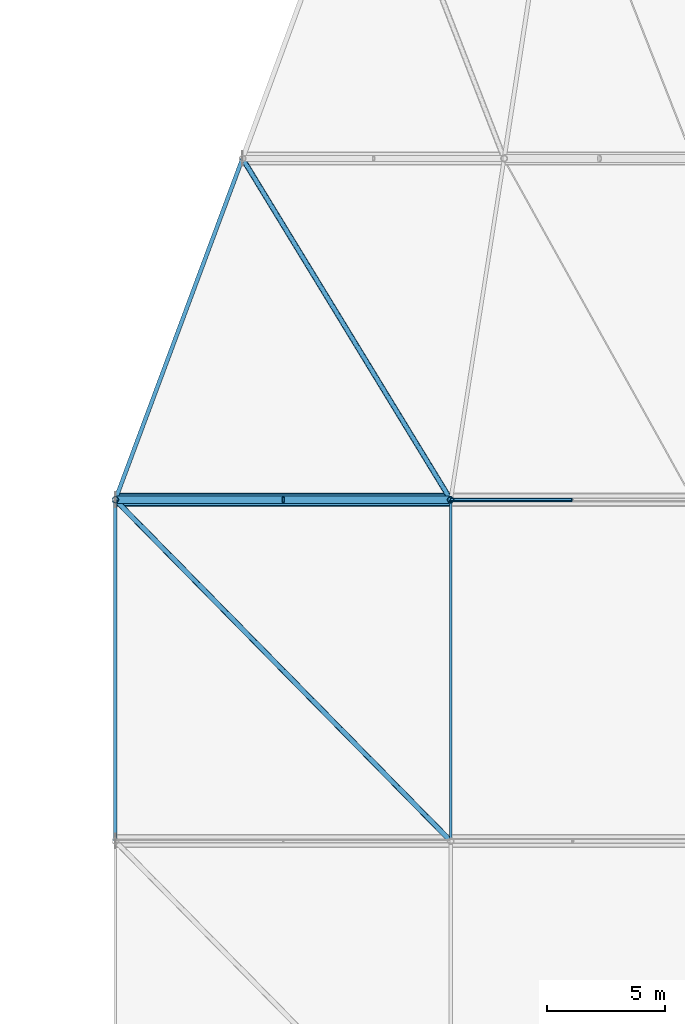
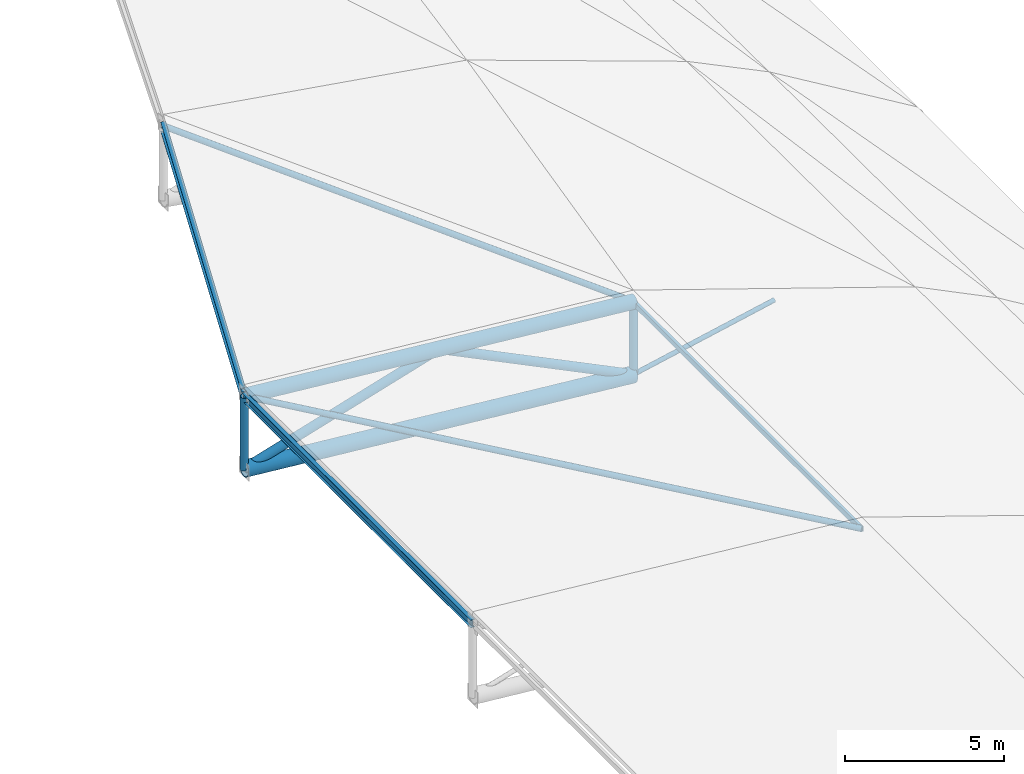
# One storey, part 20 of 36: 12 members.
"""IFC4 building model written with IfcOpenShell, lengths in metres."""

from ifc_helpers import new_model, si_unit, direction, frame, origin, origin_2d, place, context, subcontext, project, spatial, hollow_rectangle, hollow_circle, i_section, extrude, material, material_profile, profile_set, type_object, element, save


model = new_model("IFC4")

# Units and contexts
model_context = context("Model", 3, precision=1e-05, world=origin(), true_north=direction((0.0, 1.0)))
body_context = subcontext(model_context, "Body", "Model", "MODEL_VIEW")
ifc_project = project(units=[si_unit("LENGTHUNIT", "METRE"), si_unit("AREAUNIT", "SQUARE_METRE"), si_unit("VOLUMEUNIT", "CUBIC_METRE"), si_unit("PLANEANGLEUNIT", "RADIAN"), si_unit("MASSUNIT", "GRAM", prefix="KILO")], contexts=[model_context])

# Site, building, storey
site_placement = place(None, origin())
site = spatial("IfcSite", under=ifc_project, at=site_placement, CompositionType="ELEMENT")
building_placement = place(site_placement, origin())
building = spatial("IfcBuilding", under=site, at=building_placement, Name="Koshinbarg Plaza Stadium", CompositionType="ELEMENT")
storey_placement = place(building_placement, frame((0.0, 0.0, 34.199951171875)))
storey = spatial("IfcBuildingStorey", under=building, at=storey_placement, Name="RF", CompositionType="ELEMENT", Elevation=34.199951171875)

# Members
ifc_material = material(Name="Steel S355", Category="steel")
ifc_material_profile_1 = material_profile(ifc_material, hollow_circle(Radius=0.279541015625, WallThickness=0.022216796875, at=origin_2d()), Name="CHS 559x22.2")
ifc_profile_set_1 = profile_set([ifc_material_profile_1], Name="Steel S355")
member_type_1 = type_object("IfcMemberType", Name="MB-ARCH-BOT", PredefinedType="CHORD", material=ifc_profile_set_1)
member_1_placement = place(storey_placement, frame((179.152099609375, 97.5, 3.4208984375), z_axis=(-0.995642851387, 0.0, 0.093248659413), x_axis=(0.0, -1.0, 0.0)))
element("IfcMember", 1, at=member_1_placement, inside=storey, type_object=member_type_1, Name="Quarter-barrel roof truss bottom chord ERB-06-4", PredefinedType="CHORD", context=body_context, shape_type="SweptSolid", body=[
    extrude(hollow_circle(Radius=0.279541015625, WallThickness=0.022216796875, at=origin_2d()), origin(), (0.0, 0.0, 1.0), 14.214111328125),
])
ifc_material_profile_2 = material_profile(ifc_material, hollow_circle(Radius=0.25390625, WallThickness=0.02001953125, at=origin_2d()), Name="CHS 508x20")
ifc_profile_set_2 = profile_set([ifc_material_profile_2], Name="Steel S355")
member_type_2 = type_object("IfcMemberType", Name="MB-ARCH-TOP", PredefinedType="CHORD", material=ifc_profile_set_2)
member_2_placement = place(storey_placement, frame((179.152099609375, 97.5, 6.220947265625), z_axis=(-0.995642851387, 0.0, 0.093248659413), x_axis=(0.0, -1.0, 0.0)))
element("IfcMember", 2, at=member_2_placement, inside=storey, type_object=member_type_2, Name="Quarter-barrel roof truss top chord ERB-06-4", PredefinedType="CHORD", context=body_context, shape_type="SweptSolid", body=[
    extrude(hollow_circle(Radius=0.25390625, WallThickness=0.02001953125, at=origin_2d()), origin(), (0.0, 0.0, 1.0), 14.214111328125),
])
ifc_material_profile_3 = material_profile(ifc_material, hollow_circle(Radius=0.161865234375, WallThickness=0.01416015625, at=origin_2d()), Name="CHS 323.9x14.2")
ifc_profile_set_3 = profile_set([ifc_material_profile_3], Name="Steel S355")
member_type_3 = type_object("IfcMemberType", Name="MB-BRACE-01", PredefinedType="BRACE", material=ifc_profile_set_3)
member_3_placement = place(storey_placement, frame((179.152099609375, 97.5, 3.4208984375), z_axis=(-0.898224792069, 0.0, 0.439536372685), x_axis=(0.0, -1.0, 0.0)))
element("IfcMember", 3, at=member_3_placement, inside=storey, type_object=member_type_3, Name="Quarter-barrel roof truss web diagonal ERB-06-4A", PredefinedType="BRACE", context=body_context, shape_type="SweptSolid", body=[
    extrude(hollow_circle(Radius=0.161865234375, WallThickness=0.01416015625, at=origin_2d()), origin(), (0.0, 0.0, 1.0), 7.8779296875),
])
member_4_placement = place(storey_placement, frame((172.075927734375, 97.5, 6.883544921875), z_axis=(-0.957287355099, 0.0, -0.289138236433), x_axis=(0.0, -1.0, 0.0)))
element("IfcMember", 4, at=member_4_placement, inside=storey, type_object=member_type_3, Name="Quarter-barrel roof truss web diagonal ERB-06-4B", PredefinedType="BRACE", context=body_context, shape_type="SweptSolid", body=[
    extrude(hollow_circle(Radius=0.161865234375, WallThickness=0.01416015625, at=origin_2d()), origin(), (0.0, 0.0, 1.0), 7.3916015625),
])
ifc_material_profile_4 = material_profile(ifc_material, hollow_circle(Radius=0.136474609375, WallThickness=0.012451171875, at=origin_2d()), Name="CHS 273x12.5")
ifc_profile_set_4 = profile_set([ifc_material_profile_4], Name="Steel S355")
member_type_4 = type_object("IfcMemberType", Name="MB-BRACE-02", PredefinedType="BRACE", material=ifc_profile_set_4)
for number, where, z_axis, x_axis, name in (
    (5, (179.152099609375, 97.5, 3.4208984375), (0.0, 0.0, 1.0), (1.0, 0.0, 0.0), "Quarter-barrel roof truss post ERB-06-4"),
    (6, (165.0, 97.5, 4.746337890625), (0.0, 0.0, 1.0), (1.0, 0.0, 0.0), "Quarter-barrel roof truss post ERB-06-5"),
):
    element("IfcMember", number, at=place(storey_placement, frame(where, z_axis=z_axis, x_axis=x_axis)), inside=storey, type_object=member_type_4, Name=name, PredefinedType="BRACE", context=body_context, shape_type="SweptSolid", body=[
        extrude(hollow_circle(Radius=0.136474609375, WallThickness=0.012451171875, at=origin_2d()), origin(), (0.0, 0.0, 1.0), 2.800048828125),
    ])
ifc_material_profile_5 = material_profile(ifc_material, hollow_circle(Radius=0.109619140625, WallThickness=0.010009765625, at=origin_2d()), Name="CHS 219.1x10")
ifc_profile_set_5 = profile_set([ifc_material_profile_5], Name="Steel S355")
member_type_5 = type_object("IfcMemberType", Name="MB-BRACE-03", PredefinedType="BRACE", material=ifc_profile_set_5)
member_5_placement = place(storey_placement, frame((179.152099609375, 83.10009765625, 6.220947265625), z_axis=(-0.699437852357, 0.711684982968, 0.065507066097), x_axis=(-0.713216897677, -0.700943404897, 0.0)))
element("IfcMember", 7, at=member_5_placement, inside=storey, type_object=member_type_5, Name="Roof plan wind brace east bay 5.4", PredefinedType="BRACE", context=body_context, shape_type="SweptSolid", body=[
    extrude(hollow_circle(Radius=0.109619140625, WallThickness=0.010009765625, at=origin_2d()), origin(), (0.0, 0.0, 1.0), 20.233642578125),
])
member_6_placement = place(storey_placement, frame((179.152099609375, 97.5, 6.220947265625), z_axis=(-0.519668918426, 0.851893055771, 0.064980279711), x_axis=(-0.853697303801, -0.520769539703, 0.0)))
element("IfcMember", 8, at=member_6_placement, inside=storey, type_object=member_type_5, Name="Roof plan wind brace east bay 6.4", PredefinedType="BRACE", context=body_context, shape_type="SweptSolid", body=[
    extrude(hollow_circle(Radius=0.109619140625, WallThickness=0.010009765625, at=origin_2d()), origin(), (0.0, 0.0, 1.0), 16.9033203125),
])
ifc_material_profile_6 = material_profile(ifc_material, hollow_circle(Radius=0.084228515625, WallThickness=0.008056640625, at=origin_2d()), Name="CHS 168.3x8")
ifc_profile_set_6 = profile_set([ifc_material_profile_6], Name="Steel S355")
member_type_6 = type_object("IfcMemberType", Name="MB-BRACE-04", PredefinedType="BRACE", material=ifc_profile_set_6)
member_7_placement = place(storey_placement, frame((184.27587890625, 97.5, 4.490478515625), z_axis=(-0.978899240734, 0.0, -0.20434352569), x_axis=(0.0, -1.0, 0.0)))
element("IfcMember", 9, at=member_7_placement, inside=storey, type_object=member_type_6, Name="Quarter-barrel roof truss web diagonal ERB-06-3B", PredefinedType="BRACE", context=body_context, shape_type="SweptSolid", body=[
    extrude(hollow_circle(Radius=0.084228515625, WallThickness=0.008056640625, at=origin_2d()), origin(), (0.0, 0.0, 1.0), 5.234130859375),
])
ifc_material_profile_7 = material_profile(ifc_material, hollow_rectangle(XDim=0.10009765625, YDim=0.199951171875, WallThickness=0.008056640625, at=origin_2d()), Name="RHS 200x100x8")
ifc_profile_set_7 = profile_set([ifc_material_profile_7], Name="Steel S355")
member_type_7 = type_object("IfcMemberType", Name="MB-PURL-03", PredefinedType="PURLIN", material=ifc_profile_set_7)
member_8_placement = place(storey_placement, frame((179.152099609375, 83.10009765625, 6.200927734375), z_axis=(0.0, 1.0, 0.0), x_axis=(-1.0, 0.0, 0.0)))
element("IfcMember", 10, at=member_8_placement, inside=storey, type_object=member_type_7, Name="Roof longitudinal purlin east bay 5.4", PredefinedType="PURLIN", context=body_context, shape_type="SweptSolid", body=[
    extrude(hollow_rectangle(XDim=0.10009765625, YDim=0.199951171875, WallThickness=0.008056640625, at=origin_2d()), origin(), (0.0, 0.0, 1.0), 14.39990234375),
])
ifc_material_profile_8 = material_profile(ifc_material, i_section(OverallWidth=0.14990234375, OverallDepth=0.300048828125, WebThickness=0.007080078125, FlangeThickness=0.0107421875, at=origin_2d()), Name="IPE 300")
ifc_profile_set_8 = profile_set([ifc_material_profile_8], Name="Steel S355")
member_type_8 = type_object("IfcMemberType", Name="MB-PURL-04", PredefinedType="PURLIN", material=ifc_profile_set_8)
member_9_placement = place(storey_placement, frame((165.0, 83.10009765625, 7.5263671875), z_axis=(0.0, 1.0, 0.0), x_axis=(-1.0, 0.0, 0.0)))
element("IfcMember", 11, at=member_9_placement, inside=storey, type_object=member_type_8, Name="Roof longitudinal purlin east bay 5.5", PredefinedType="PURLIN", context=body_context, shape_type="SweptSolid", body=[
    extrude(i_section(OverallWidth=0.14990234375, OverallDepth=0.300048828125, WebThickness=0.007080078125, FlangeThickness=0.0107421875, at=origin_2d()), origin(), (0.0, 0.0, 1.0), 14.39990234375),
])
ifc_material_profile_9 = material_profile(ifc_material, i_section(OverallWidth=0.169921875, OverallDepth=0.360107421875, WebThickness=0.008056640625, FlangeThickness=0.0126953125, at=origin_2d()), Name="IPE 360")
ifc_profile_set_9 = profile_set([ifc_material_profile_9], Name="Steel S355")
member_type_9 = type_object("IfcMemberType", Name="MB-PURL-05", PredefinedType="PURLIN", material=ifc_profile_set_9)
member_10_placement = place(storey_placement, frame((165.0, 97.5, 7.5263671875), z_axis=(0.349256629702, 0.936910653255, -0.014772759614), x_axis=(-0.93701290307, 0.349294745851, 0.0)))
element("IfcMember", 12, at=member_10_placement, inside=storey, type_object=member_type_9, Name="Roof longitudinal purlin east bay 6.5", PredefinedType="PURLIN", context=body_context, shape_type="SweptSolid", body=[
    extrude(i_section(OverallWidth=0.169921875, OverallDepth=0.360107421875, WebThickness=0.008056640625, FlangeThickness=0.0126953125, at=origin_2d()), origin(), (0.0, 0.0, 1.0), 15.36962890625),
])

save(model, "model.ifc")
